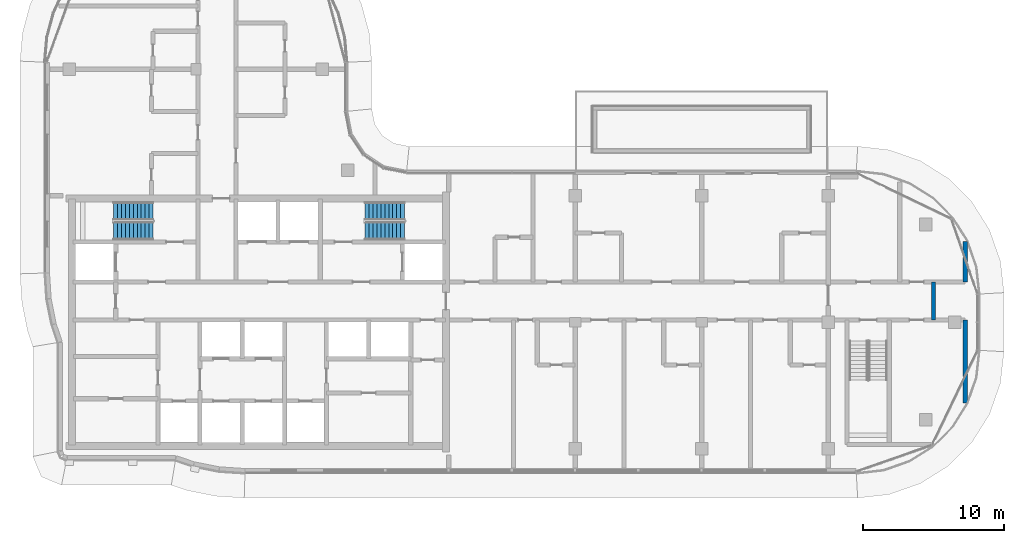
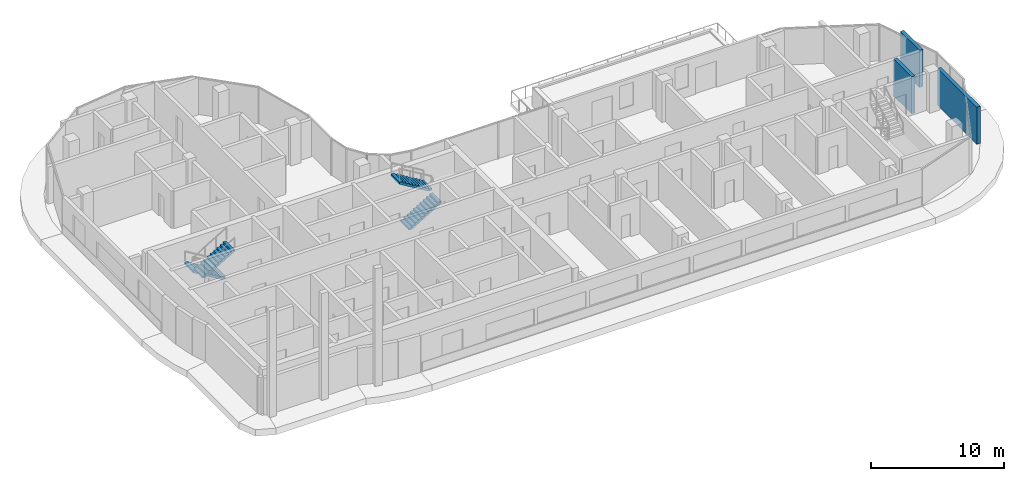
# One storey, part 13 of 20: 4 stair flights, 3 walls, 2 elements without a shape of their own.
"""IFC4 building model written with IfcOpenShell, lengths in metres."""

from ifc_helpers import new_model, si_unit, direction, frame, frame_2d, origin, place, context, subcontext, project, spatial, rectangle, extrude, triangles, source, transform, mapped, material, layer, layer_set, type_object, element, aggregate, save


model = new_model("IFC4")

# Units and contexts
model_context = context("Model", 3, precision=1e-05, world=origin(), true_north=direction((0.0, 1.0)))
body_context = subcontext(model_context, "Body", "Model", "MODEL_VIEW")
ifc_project = project(units=[si_unit("LENGTHUNIT", "METRE"), si_unit("AREAUNIT", "SQUARE_METRE"), si_unit("VOLUMEUNIT", "CUBIC_METRE"), si_unit("PLANEANGLEUNIT", "RADIAN"), si_unit("MASSUNIT", "GRAM", prefix="KILO")], contexts=[model_context])

# Site, building, storey
site_placement = place(None, origin())
site = spatial("IfcSite", under=ifc_project, at=site_placement, CompositionType="ELEMENT")
building_placement = place(site_placement, origin())
building = spatial("IfcBuilding", under=site, at=building_placement, Name="Ogive Portal Towers", CompositionType="ELEMENT")
storey_placement = place(building_placement, frame((0.0, 0.0, 195.800048828125)))
storey = spatial("IfcBuildingStorey", under=building, at=storey_placement, Name="L48", CompositionType="ELEMENT", Elevation=195.800048828125)

# Walls
ifc_material_1 = material(Name="Gypsum board partition on steel studs", Category="steel")
ifc_layer_1 = layer(ifc_material_1, 0.300048828125)
ifc_layer_set_1 = layer_set([ifc_layer_1], Name="WT-PART-300-EI 120")
wall_type_1 = type_object("IfcWallType", Name="WT-PART-300-EI 120", PredefinedType="PARTITIONING", material=ifc_layer_set_1)
wall_1_placement = place(storey_placement, frame((93.0, 30.64990234375, 0.0), z_axis=(0.0, 0.0, 1.0), x_axis=(0.0, 1.0, 0.0)))
element("IfcWall", 1, at=wall_1_placement, inside=storey, type_object=wall_type_1, Name="Wall L48:w053", PredefinedType="PARTITIONING", context=body_context, shape_type="SweptSolid", body=[
    extrude(rectangle(XDim=2.7001953125, YDim=0.300048828125, at=frame_2d((1.35009765625, 0.0))), origin(), (0.0, 0.0, 1.0), 3.39990234375),
])
ifc_layer_2 = layer(ifc_material_1, 0.300048828125)
ifc_layer_set_2 = layer_set([ifc_layer_2], Name="WT-PART-300-EI 60")
wall_type_2 = type_object("IfcWallType", Name="WT-PART-300-EI 60", PredefinedType="PARTITIONING", material=ifc_layer_set_2)
wall_2_placement = place(storey_placement, frame((95.25, 24.75390625, 0.0), z_axis=(0.0, 0.0, 1.0), x_axis=(0.0, 1.0, 0.0)))
element("IfcWall", 2, at=wall_2_placement, inside=storey, type_object=wall_type_2, Name="Wall L48:w054", PredefinedType="PARTITIONING", context=body_context, shape_type="SweptSolid", body=[
    extrude(rectangle(XDim=5.89599609375, YDim=0.300048828125, at=frame_2d((2.947998046875, 0.0))), origin(), (0.0, 0.0, 1.0), 3.39990234375),
])
wall_3_placement = place(storey_placement, frame((95.25, 33.35009765625, 0.0), z_axis=(0.0, 0.0, 1.0), x_axis=(0.0, 1.0, 0.0)))
element("IfcWall", 3, at=wall_3_placement, inside=storey, type_object=wall_type_2, Name="Wall L48:w055", PredefinedType="PARTITIONING", context=body_context, shape_type="SweptSolid", body=[
    extrude(rectangle(XDim=2.89599609375, YDim=0.300048828125, at=frame_2d((1.447998046875, 0.0))), origin(), (0.0, 0.0, 1.0), 3.39990234375),
])

# Stair, stair flights
ifc_material_2 = material(Name="Concrete C40/50", Category="concrete")
stair_type = type_object("IfcStairType", Name="INT-STAIR", PredefinedType="HALF_TURN_STAIR", material=ifc_material_2)
stair_1_placement = place(storey_placement, origin())
stair_1 = element("IfcStair", 4, at=stair_1_placement, inside=storey, type_object=stair_type, Name="L48 Exit Stair ST-A1", PredefinedType="HALF_TURN_STAIR")
stair_flight_type = type_object("IfcStairFlightType", Name="INT-FLIGHT", PredefinedType="STRAIGHT", material=ifc_material_2)
shared_shape = source(origin(), body_context, "Body", "Tessellation", [
    triangles([(0.0, -0.650146484375, 0.0), (0.0, -0.376220703125, 0.0), (0.0, -0.192626953125, 0.0), (0.0, -0.081298828125, 0.0), (0.0, -0.024169921875, 0.0), (0.0, -0.003173828125, 0.0), (0.0, 0.0, 0.0), (0.0, 0.0029296875, 0.0), (0.0, 0.02392578125, 0.0), (0.0, 0.0810546875, 0.0), (0.0, 0.1923828125, 0.0), (0.0, 0.3759765625, 0.0), (0.0, 0.64990234375, 0.0), (0.0, -0.650146484375, 0.168212890625), (0.0, -0.376220703125, 0.168212890625), (0.0, -0.192626953125, 0.168212890625), (0.0, -0.081298828125, 0.168212890625), (0.0, -0.024169921875, 0.168212890625), (0.0, -0.003173828125, 0.168212890625), (0.0, 0.0, 0.168212890625), (0.0, 0.0029296875, 0.168212890625), (0.0, 0.02392578125, 0.168212890625), (0.0, 0.0810546875, 0.168212890625), (0.0, 0.1923828125, 0.168212890625), (0.0, 0.3759765625, 0.168212890625), (0.0, 0.64990234375, 0.168212890625), (0.280029296875, -0.650146484375, 0.168212890625), (0.280029296875, -0.376220703125, 0.168212890625), (0.280029296875, -0.192626953125, 0.168212890625), (0.280029296875, -0.081298828125, 0.168212890625), (0.280029296875, -0.024169921875, 0.168212890625), (0.280029296875, -0.003173828125, 0.168212890625), (0.280029296875, 0.0, 0.168212890625), (0.280029296875, 0.0029296875, 0.168212890625), (0.280029296875, 0.02392578125, 0.168212890625), (0.280029296875, 0.0810546875, 0.168212890625), (0.280029296875, 0.1923828125, 0.168212890625), (0.280029296875, 0.3759765625, 0.168212890625), (0.280029296875, 0.64990234375, 0.168212890625), (0.280029296875, -0.650146484375, 0.33642578125), (0.280029296875, -0.376220703125, 0.33642578125), (0.280029296875, -0.192626953125, 0.33642578125), (0.280029296875, -0.081298828125, 0.33642578125), (0.280029296875, -0.024169921875, 0.33642578125), (0.280029296875, -0.003173828125, 0.33642578125), (0.280029296875, 0.0, 0.33642578125), (0.280029296875, 0.0029296875, 0.33642578125), (0.280029296875, 0.02392578125, 0.33642578125), (0.280029296875, 0.0810546875, 0.33642578125), (0.280029296875, 0.1923828125, 0.33642578125), (0.280029296875, 0.3759765625, 0.33642578125), (0.280029296875, 0.64990234375, 0.33642578125), (0.56005859375, -0.650146484375, 0.33642578125), (0.56005859375, -0.376220703125, 0.33642578125), (0.56005859375, -0.192626953125, 0.33642578125), (0.56005859375, -0.081298828125, 0.33642578125), (0.56005859375, -0.024169921875, 0.33642578125), (0.56005859375, -0.003173828125, 0.33642578125), (0.56005859375, 0.0, 0.33642578125), (0.56005859375, 0.0029296875, 0.33642578125), (0.56005859375, 0.02392578125, 0.33642578125), (0.56005859375, 0.0810546875, 0.33642578125), (0.56005859375, 0.1923828125, 0.33642578125), (0.56005859375, 0.3759765625, 0.33642578125), (0.56005859375, 0.64990234375, 0.33642578125), (0.56005859375, -0.650146484375, 0.504638671875), (0.56005859375, -0.376220703125, 0.504638671875), (0.56005859375, -0.192626953125, 0.504638671875), (0.56005859375, -0.081298828125, 0.504638671875), (0.56005859375, -0.024169921875, 0.504638671875), (0.56005859375, -0.003173828125, 0.504638671875), (0.56005859375, 0.0, 0.504638671875), (0.56005859375, 0.0029296875, 0.504638671875), (0.56005859375, 0.02392578125, 0.504638671875), (0.56005859375, 0.0810546875, 0.504638671875), (0.56005859375, 0.1923828125, 0.504638671875), (0.56005859375, 0.3759765625, 0.504638671875), (0.56005859375, 0.64990234375, 0.504638671875), (0.840087890625, -0.650146484375, 0.504638671875), (0.840087890625, -0.376220703125, 0.504638671875), (0.840087890625, -0.192626953125, 0.504638671875), (0.840087890625, -0.081298828125, 0.504638671875), (0.840087890625, -0.024169921875, 0.504638671875), (0.840087890625, -0.003173828125, 0.504638671875), (0.840087890625, 0.0, 0.504638671875), (0.840087890625, 0.0029296875, 0.504638671875), (0.840087890625, 0.02392578125, 0.504638671875), (0.840087890625, 0.0810546875, 0.504638671875), (0.840087890625, 0.1923828125, 0.504638671875), (0.840087890625, 0.3759765625, 0.504638671875), (0.840087890625, 0.64990234375, 0.504638671875), (0.840087890625, -0.650146484375, 0.672607421875), (0.840087890625, -0.376220703125, 0.672607421875), (0.840087890625, -0.192626953125, 0.672607421875), (0.840087890625, -0.081298828125, 0.672607421875), (0.840087890625, -0.024169921875, 0.672607421875), (0.840087890625, -0.003173828125, 0.672607421875), (0.840087890625, 0.0, 0.672607421875), (0.840087890625, 0.0029296875, 0.672607421875), (0.840087890625, 0.02392578125, 0.672607421875), (0.840087890625, 0.0810546875, 0.672607421875), (0.840087890625, 0.1923828125, 0.672607421875), (0.840087890625, 0.3759765625, 0.672607421875), (0.840087890625, 0.64990234375, 0.672607421875), (1.1201171875, -0.650146484375, 0.672607421875), (1.1201171875, -0.376220703125, 0.672607421875), (1.1201171875, -0.192626953125, 0.672607421875), (1.1201171875, -0.081298828125, 0.672607421875), (1.1201171875, -0.024169921875, 0.672607421875), (1.1201171875, -0.003173828125, 0.672607421875), (1.1201171875, 0.0, 0.672607421875), (1.1201171875, 0.0029296875, 0.672607421875), (1.1201171875, 0.02392578125, 0.672607421875), (1.1201171875, 0.0810546875, 0.672607421875), (1.1201171875, 0.1923828125, 0.672607421875), (1.1201171875, 0.3759765625, 0.672607421875), (1.1201171875, 0.64990234375, 0.672607421875), (1.1201171875, -0.650146484375, 0.8408203125), (1.1201171875, -0.376220703125, 0.8408203125), (1.1201171875, -0.192626953125, 0.8408203125), (1.1201171875, -0.081298828125, 0.8408203125), (1.1201171875, -0.024169921875, 0.8408203125), (1.1201171875, -0.003173828125, 0.8408203125), (1.1201171875, 0.0, 0.8408203125), (1.1201171875, 0.0029296875, 0.8408203125), (1.1201171875, 0.02392578125, 0.8408203125), (1.1201171875, 0.0810546875, 0.8408203125), (1.1201171875, 0.1923828125, 0.8408203125), (1.1201171875, 0.3759765625, 0.8408203125), (1.1201171875, 0.64990234375, 0.8408203125), (1.39990234375, -0.650146484375, 0.8408203125), (1.39990234375, -0.376220703125, 0.8408203125), (1.39990234375, -0.192626953125, 0.8408203125), (1.39990234375, -0.081298828125, 0.8408203125), (1.39990234375, -0.024169921875, 0.8408203125), (1.39990234375, -0.003173828125, 0.8408203125), (1.39990234375, 0.0, 0.8408203125), (1.39990234375, 0.0029296875, 0.8408203125), (1.39990234375, 0.02392578125, 0.8408203125), (1.39990234375, 0.0810546875, 0.8408203125), (1.39990234375, 0.1923828125, 0.8408203125), (1.39990234375, 0.3759765625, 0.8408203125), (1.39990234375, 0.64990234375, 0.8408203125), (1.39990234375, -0.650146484375, 1.009033203125), (1.39990234375, -0.376220703125, 1.009033203125), (1.39990234375, -0.192626953125, 1.009033203125), (1.39990234375, -0.081298828125, 1.009033203125), (1.39990234375, -0.024169921875, 1.009033203125), (1.39990234375, -0.003173828125, 1.009033203125), (1.39990234375, 0.0, 1.009033203125), (1.39990234375, 0.0029296875, 1.009033203125), (1.39990234375, 0.02392578125, 1.009033203125), (1.39990234375, 0.0810546875, 1.009033203125), (1.39990234375, 0.1923828125, 1.009033203125), (1.39990234375, 0.3759765625, 1.009033203125), (1.39990234375, 0.64990234375, 1.009033203125), (1.679931640625, -0.650146484375, 1.009033203125), (1.679931640625, -0.376220703125, 1.009033203125), (1.679931640625, -0.192626953125, 1.009033203125), (1.679931640625, -0.081298828125, 1.009033203125), (1.679931640625, -0.024169921875, 1.009033203125), (1.679931640625, -0.003173828125, 1.009033203125), (1.679931640625, 0.0, 1.009033203125), (1.679931640625, 0.0029296875, 1.009033203125), (1.679931640625, 0.02392578125, 1.009033203125), (1.679931640625, 0.0810546875, 1.009033203125), (1.679931640625, 0.1923828125, 1.009033203125), (1.679931640625, 0.3759765625, 1.009033203125), (1.679931640625, 0.64990234375, 1.009033203125), (1.679931640625, -0.650146484375, 1.17724609375), (1.679931640625, -0.376220703125, 1.17724609375), (1.679931640625, -0.192626953125, 1.17724609375), (1.679931640625, -0.081298828125, 1.17724609375), (1.679931640625, -0.024169921875, 1.17724609375), (1.679931640625, -0.003173828125, 1.17724609375), (1.679931640625, 0.0, 1.17724609375), (1.679931640625, 0.0029296875, 1.17724609375), (1.679931640625, 0.02392578125, 1.17724609375), (1.679931640625, 0.0810546875, 1.17724609375), (1.679931640625, 0.1923828125, 1.17724609375), (1.679931640625, 0.3759765625, 1.17724609375), (1.679931640625, 0.64990234375, 1.17724609375), (1.9599609375, -0.650146484375, 1.17724609375), (1.9599609375, -0.376220703125, 1.17724609375), (1.9599609375, -0.192626953125, 1.17724609375), (1.9599609375, -0.081298828125, 1.17724609375), (1.9599609375, -0.024169921875, 1.17724609375), (1.9599609375, -0.003173828125, 1.17724609375), (1.9599609375, 0.0, 1.17724609375), (1.9599609375, 0.0029296875, 1.17724609375), (1.9599609375, 0.02392578125, 1.17724609375), (1.9599609375, 0.0810546875, 1.17724609375), (1.9599609375, 0.1923828125, 1.17724609375), (1.9599609375, 0.3759765625, 1.17724609375), (1.9599609375, 0.64990234375, 1.17724609375), (1.9599609375, -0.650146484375, 1.345458984375), (1.9599609375, -0.376220703125, 1.345458984375), (1.9599609375, -0.192626953125, 1.345458984375), (1.9599609375, -0.081298828125, 1.345458984375), (1.9599609375, -0.024169921875, 1.345458984375), (1.9599609375, -0.003173828125, 1.345458984375), (1.9599609375, 0.0, 1.345458984375), (1.9599609375, 0.0029296875, 1.345458984375), (1.9599609375, 0.02392578125, 1.345458984375), (1.9599609375, 0.0810546875, 1.345458984375), (1.9599609375, 0.1923828125, 1.345458984375), (1.9599609375, 0.3759765625, 1.345458984375), (1.9599609375, 0.64990234375, 1.345458984375), (2.239990234375, -0.650146484375, 1.345458984375), (2.239990234375, -0.376220703125, 1.345458984375), (2.239990234375, -0.192626953125, 1.345458984375), (2.239990234375, -0.081298828125, 1.345458984375), (2.239990234375, -0.024169921875, 1.345458984375), (2.239990234375, -0.003173828125, 1.345458984375), (2.239990234375, 0.0, 1.345458984375), (2.239990234375, 0.0029296875, 1.345458984375), (2.239990234375, 0.02392578125, 1.345458984375), (2.239990234375, 0.0810546875, 1.345458984375), (2.239990234375, 0.1923828125, 1.345458984375), (2.239990234375, 0.3759765625, 1.345458984375), (2.239990234375, 0.64990234375, 1.345458984375), (2.239990234375, -0.650146484375, 1.513671875), (2.239990234375, -0.376220703125, 1.513671875), (2.239990234375, -0.192626953125, 1.513671875), (2.239990234375, -0.081298828125, 1.513671875), (2.239990234375, -0.024169921875, 1.513671875), (2.239990234375, -0.003173828125, 1.513671875), (2.239990234375, 0.0, 1.513671875), (2.239990234375, 0.0029296875, 1.513671875), (2.239990234375, 0.02392578125, 1.513671875), (2.239990234375, 0.0810546875, 1.513671875), (2.239990234375, 0.1923828125, 1.513671875), (2.239990234375, 0.3759765625, 1.513671875), (2.239990234375, 0.64990234375, 1.513671875), (2.52001953125, -0.650146484375, 1.513671875), (2.52001953125, -0.376220703125, 1.513671875), (2.52001953125, -0.192626953125, 1.513671875), (2.52001953125, -0.081298828125, 1.513671875), (2.52001953125, -0.024169921875, 1.513671875), (2.52001953125, -0.003173828125, 1.513671875), (2.52001953125, 0.0, 1.513671875), (2.52001953125, 0.0029296875, 1.513671875), (2.52001953125, 0.02392578125, 1.513671875), (2.52001953125, 0.0810546875, 1.513671875), (2.52001953125, 0.1923828125, 1.513671875), (2.52001953125, 0.3759765625, 1.513671875), (2.52001953125, 0.64990234375, 1.513671875), (2.52001953125, -0.650146484375, 1.681884765625), (2.52001953125, -0.376220703125, 1.681884765625), (2.52001953125, -0.192626953125, 1.681884765625), (2.52001953125, -0.081298828125, 1.681884765625), (2.52001953125, -0.024169921875, 1.681884765625), (2.52001953125, -0.003173828125, 1.681884765625), (2.52001953125, 0.0, 1.681884765625), (2.52001953125, 0.0029296875, 1.681884765625), (2.52001953125, 0.02392578125, 1.681884765625), (2.52001953125, 0.0810546875, 1.681884765625), (2.52001953125, 0.1923828125, 1.681884765625), (2.52001953125, 0.3759765625, 1.681884765625), (2.52001953125, 0.64990234375, 1.681884765625), (2.800048828125, -0.650146484375, 1.681884765625), (2.800048828125, -0.376220703125, 1.681884765625), (2.800048828125, -0.192626953125, 1.681884765625), (2.800048828125, -0.081298828125, 1.681884765625), (2.800048828125, -0.024169921875, 1.681884765625), (2.800048828125, -0.003173828125, 1.681884765625), (2.800048828125, 0.0, 1.681884765625), (2.800048828125, 0.0029296875, 1.681884765625), (2.800048828125, 0.02392578125, 1.681884765625), (2.800048828125, 0.0810546875, 1.681884765625), (2.800048828125, 0.1923828125, 1.681884765625), (2.800048828125, 0.3759765625, 1.681884765625), (2.800048828125, 0.64990234375, 1.681884765625), (2.800048828125, -0.650146484375, 1.5068359375), (2.800048828125, -0.376220703125, 1.5068359375), (2.800048828125, -0.192626953125, 1.5068359375), (2.800048828125, -0.081298828125, 1.5068359375), (2.800048828125, -0.024169921875, 1.5068359375), (2.800048828125, -0.003173828125, 1.5068359375), (2.800048828125, 0.0, 1.5068359375), (2.800048828125, 0.0029296875, 1.5068359375), (2.800048828125, 0.02392578125, 1.5068359375), (2.800048828125, 0.0810546875, 1.5068359375), (2.800048828125, 0.1923828125, 1.5068359375), (2.800048828125, 0.3759765625, 1.5068359375), (2.800048828125, 0.64990234375, 1.5068359375), (0.291015625, -0.650146484375, 0.0), (0.291015625, -0.376220703125, 0.0), (0.291015625, -0.192626953125, 0.0), (0.291015625, -0.081298828125, 0.0), (0.291015625, -0.024169921875, 0.0), (0.291015625, -0.003173828125, 0.0), (0.291015625, 0.0, 0.0), (0.291015625, 0.0029296875, 0.0), (0.291015625, 0.02392578125, 0.0), (0.291015625, 0.0810546875, 0.0), (0.291015625, 0.1923828125, 0.0), (0.291015625, 0.3759765625, 0.0), (0.291015625, 0.64990234375, 0.0)], [[1, 14, 15], [1, 15, 2], [2, 15, 16], [2, 16, 3], [3, 16, 17], [3, 17, 4], [4, 17, 18], [4, 18, 5], [5, 18, 19], [5, 19, 6], [6, 19, 20], [6, 20, 7], [7, 20, 21], [7, 21, 8], [8, 21, 22], [8, 22, 9], [9, 22, 23], [9, 23, 10], [10, 23, 24], [10, 24, 11], [11, 24, 25], [11, 25, 12], [12, 25, 26], [12, 26, 13], [14, 27, 28], [14, 28, 15], [15, 28, 29], [15, 29, 16], [16, 29, 30], [16, 30, 17], [17, 30, 31], [17, 31, 18], [18, 31, 32], [18, 32, 19], [19, 32, 33], [19, 33, 20], [20, 33, 34], [20, 34, 21], [21, 34, 35], [21, 35, 22], [22, 35, 36], [22, 36, 23], [23, 36, 37], [23, 37, 24], [24, 37, 38], [24, 38, 25], [25, 38, 39], [25, 39, 26], [27, 40, 41], [27, 41, 28], [28, 41, 42], [28, 42, 29], [29, 42, 43], [29, 43, 30], [30, 43, 44], [30, 44, 31], [31, 44, 45], [31, 45, 32], [32, 45, 46], [32, 46, 33], [33, 46, 47], [33, 47, 34], [34, 47, 48], [34, 48, 35], [35, 48, 49], [35, 49, 36], [36, 49, 50], [36, 50, 37], [37, 50, 51], [37, 51, 38], [38, 51, 52], [38, 52, 39], [40, 53, 54], [40, 54, 41], [41, 54, 55], [41, 55, 42], [42, 55, 56], [42, 56, 43], [43, 56, 57], [43, 57, 44], [44, 57, 58], [44, 58, 45], [45, 58, 59], [45, 59, 46], [46, 59, 60], [46, 60, 47], [47, 60, 61], [47, 61, 48], [48, 61, 62], [48, 62, 49], [49, 62, 63], [49, 63, 50], [50, 63, 64], [50, 64, 51], [51, 64, 65], [51, 65, 52], [53, 66, 67], [53, 67, 54], [54, 67, 68], [54, 68, 55], [55, 68, 69], [55, 69, 56], [56, 69, 70], [56, 70, 57], [57, 70, 71], [57, 71, 58], [58, 71, 72], [58, 72, 59], [59, 72, 73], [59, 73, 60], [60, 73, 74], [60, 74, 61], [61, 74, 75], [61, 75, 62], [62, 75, 76], [62, 76, 63], [63, 76, 77], [63, 77, 64], [64, 77, 78], [64, 78, 65], [66, 79, 80], [66, 80, 67], [67, 80, 81], [67, 81, 68], [68, 81, 82], [68, 82, 69], [69, 82, 83], [69, 83, 70], [70, 83, 84], [70, 84, 71], [71, 84, 85], [71, 85, 72], [72, 85, 86], [72, 86, 73], [73, 86, 87], [73, 87, 74], [74, 87, 88], [74, 88, 75], [75, 88, 89], [75, 89, 76], [76, 89, 90], [76, 90, 77], [77, 90, 91], [77, 91, 78], [79, 92, 93], [79, 93, 80], [80, 93, 94], [80, 94, 81], [81, 94, 95], [81, 95, 82], [82, 95, 96], [82, 96, 83], [83, 96, 97], [83, 97, 84], [84, 97, 98], [84, 98, 85], [85, 98, 99], [85, 99, 86], [86, 99, 100], [86, 100, 87], [87, 100, 101], [87, 101, 88], [88, 101, 102], [88, 102, 89], [89, 102, 103], [89, 103, 90], [90, 103, 104], [90, 104, 91], [92, 105, 106], [92, 106, 93], [93, 106, 107], [93, 107, 94], [94, 107, 108], [94, 108, 95], [95, 108, 109], [95, 109, 96], [96, 109, 110], [96, 110, 97], [97, 110, 111], [97, 111, 98], [98, 111, 112], [98, 112, 99], [99, 112, 113], [99, 113, 100], [100, 113, 114], [100, 114, 101], [101, 114, 115], [101, 115, 102], [102, 115, 116], [102, 116, 103], [103, 116, 117], [103, 117, 104], [105, 118, 119], [105, 119, 106], [106, 119, 120], [106, 120, 107], [107, 120, 121], [107, 121, 108], [108, 121, 122], [108, 122, 109], [109, 122, 123], [109, 123, 110], [110, 123, 124], [110, 124, 111], [111, 124, 125], [111, 125, 112], [112, 125, 126], [112, 126, 113], [113, 126, 127], [113, 127, 114], [114, 127, 128], [114, 128, 115], [115, 128, 129], [115, 129, 116], [116, 129, 130], [116, 130, 117], [118, 131, 132], [118, 132, 119], [119, 132, 133], [119, 133, 120], [120, 133, 134], [120, 134, 121], [121, 134, 135], [121, 135, 122], [122, 135, 136], [122, 136, 123], [123, 136, 137], [123, 137, 124], [124, 137, 138], [124, 138, 125], [125, 138, 139], [125, 139, 126], [126, 139, 140], [126, 140, 127], [127, 140, 141], [127, 141, 128], [128, 141, 142], [128, 142, 129], [129, 142, 143], [129, 143, 130], [131, 144, 145], [131, 145, 132], [132, 145, 146], [132, 146, 133], [133, 146, 147], [133, 147, 134], [134, 147, 148], [134, 148, 135], [135, 148, 149], [135, 149, 136], [136, 149, 150], [136, 150, 137], [137, 150, 151], [137, 151, 138], [138, 151, 152], [138, 152, 139], [139, 152, 153], [139, 153, 140], [140, 153, 154], [140, 154, 141], [141, 154, 155], [141, 155, 142], [142, 155, 156], [142, 156, 143], [144, 157, 158], [144, 158, 145], [145, 158, 159], [145, 159, 146], [146, 159, 160], [146, 160, 147], [147, 160, 161], [147, 161, 148], [148, 161, 162], [148, 162, 149], [149, 162, 163], [149, 163, 150], [150, 163, 164], [150, 164, 151], [151, 164, 165], [151, 165, 152], [152, 165, 166], [152, 166, 153], [153, 166, 167], [153, 167, 154], [154, 167, 168], [154, 168, 155], [155, 168, 169], [155, 169, 156], [157, 170, 171], [157, 171, 158], [158, 171, 172], [158, 172, 159], [159, 172, 173], [159, 173, 160], [160, 173, 174], [160, 174, 161], [161, 174, 175], [161, 175, 162], [162, 175, 176], [162, 176, 163], [163, 176, 177], [163, 177, 164], [164, 177, 178], [164, 178, 165], [165, 178, 179], [165, 179, 166], [166, 179, 180], [166, 180, 167], [167, 180, 181], [167, 181, 168], [168, 181, 182], [168, 182, 169], [170, 183, 184], [170, 184, 171], [171, 184, 185], [171, 185, 172], [172, 185, 186], [172, 186, 173], [173, 186, 187], [173, 187, 174], [174, 187, 188], [174, 188, 175], [175, 188, 189], [175, 189, 176], [176, 189, 190], [176, 190, 177], [177, 190, 191], [177, 191, 178], [178, 191, 192], [178, 192, 179], [179, 192, 193], [179, 193, 180], [180, 193, 194], [180, 194, 181], [181, 194, 195], [181, 195, 182], [183, 196, 197], [183, 197, 184], [184, 197, 198], [184, 198, 185], [185, 198, 199], [185, 199, 186], [186, 199, 200], [186, 200, 187], [187, 200, 201], [187, 201, 188], [188, 201, 202], [188, 202, 189], [189, 202, 203], [189, 203, 190], [190, 203, 204], [190, 204, 191], [191, 204, 205], [191, 205, 192], [192, 205, 206], [192, 206, 193], [193, 206, 207], [193, 207, 194], [194, 207, 208], [194, 208, 195], [196, 209, 210], [196, 210, 197], [197, 210, 211], [197, 211, 198], [198, 211, 212], [198, 212, 199], [199, 212, 213], [199, 213, 200], [200, 213, 214], [200, 214, 201], [201, 214, 215], [201, 215, 202], [202, 215, 216], [202, 216, 203], [203, 216, 217], [203, 217, 204], [204, 217, 218], [204, 218, 205], [205, 218, 219], [205, 219, 206], [206, 219, 220], [206, 220, 207], [207, 220, 221], [207, 221, 208], [209, 222, 223], [209, 223, 210], [210, 223, 224], [210, 224, 211], [211, 224, 225], [211, 225, 212], [212, 225, 226], [212, 226, 213], [213, 226, 227], [213, 227, 214], [214, 227, 228], [214, 228, 215], [215, 228, 229], [215, 229, 216], [216, 229, 230], [216, 230, 217], [217, 230, 231], [217, 231, 218], [218, 231, 232], [218, 232, 219], [219, 232, 233], [219, 233, 220], [220, 233, 234], [220, 234, 221], [222, 235, 236], [222, 236, 223], [223, 236, 237], [223, 237, 224], [224, 237, 238], [224, 238, 225], [225, 238, 239], [225, 239, 226], [226, 239, 240], [226, 240, 227], [227, 240, 241], [227, 241, 228], [228, 241, 242], [228, 242, 229], [229, 242, 243], [229, 243, 230], [230, 243, 244], [230, 244, 231], [231, 244, 245], [231, 245, 232], [232, 245, 246], [232, 246, 233], [233, 246, 247], [233, 247, 234], [235, 248, 249], [235, 249, 236], [236, 249, 250], [236, 250, 237], [237, 250, 251], [237, 251, 238], [238, 251, 252], [238, 252, 239], [239, 252, 253], [239, 253, 240], [240, 253, 254], [240, 254, 241], [241, 254, 255], [241, 255, 242], [242, 255, 256], [242, 256, 243], [243, 256, 257], [243, 257, 244], [244, 257, 258], [244, 258, 245], [245, 258, 259], [245, 259, 246], [246, 259, 260], [246, 260, 247], [248, 261, 262], [248, 262, 249], [249, 262, 263], [249, 263, 250], [250, 263, 264], [250, 264, 251], [251, 264, 265], [251, 265, 252], [252, 265, 266], [252, 266, 253], [253, 266, 267], [253, 267, 254], [254, 267, 268], [254, 268, 255], [255, 268, 269], [255, 269, 256], [256, 269, 270], [256, 270, 257], [257, 270, 271], [257, 271, 258], [258, 271, 272], [258, 272, 259], [259, 272, 273], [259, 273, 260], [261, 274, 275], [261, 275, 262], [262, 275, 276], [262, 276, 263], [263, 276, 277], [263, 277, 264], [264, 277, 278], [264, 278, 265], [265, 278, 279], [265, 279, 266], [266, 279, 280], [266, 280, 267], [267, 280, 281], [267, 281, 268], [268, 281, 282], [268, 282, 269], [269, 282, 283], [269, 283, 270], [270, 283, 284], [270, 284, 271], [271, 284, 285], [271, 285, 272], [272, 285, 286], [272, 286, 273], [274, 287, 288], [274, 288, 275], [275, 288, 289], [275, 289, 276], [276, 289, 290], [276, 290, 277], [277, 290, 291], [277, 291, 278], [278, 291, 292], [278, 292, 279], [279, 292, 293], [279, 293, 280], [280, 293, 294], [280, 294, 281], [281, 294, 295], [281, 295, 282], [282, 295, 296], [282, 296, 283], [283, 296, 297], [283, 297, 284], [284, 297, 298], [284, 298, 285], [285, 298, 299], [285, 299, 286], [287, 1, 2], [287, 2, 288], [288, 2, 3], [288, 3, 289], [289, 3, 4], [289, 4, 290], [290, 4, 5], [290, 5, 291], [291, 5, 6], [291, 6, 292], [292, 6, 7], [292, 7, 293], [293, 7, 8], [293, 8, 294], [294, 8, 9], [294, 9, 295], [295, 9, 10], [295, 10, 296], [296, 10, 11], [296, 11, 297], [297, 11, 12], [297, 12, 298], [298, 12, 13], [298, 13, 299], [1, 287, 274], [13, 286, 299], [274, 261, 248], [286, 260, 273], [274, 248, 235], [286, 247, 260], [274, 235, 222], [286, 234, 247], [274, 222, 209], [286, 221, 234], [209, 196, 183], [221, 195, 208], [274, 209, 183], [286, 195, 221], [183, 170, 157], [195, 169, 182], [274, 183, 157], [286, 169, 195], [157, 144, 131], [169, 143, 156], [274, 157, 131], [286, 143, 169], [131, 118, 105], [143, 117, 130], [274, 131, 105], [286, 117, 143], [1, 274, 105], [13, 117, 286], [105, 92, 79], [117, 91, 104], [79, 66, 53], [91, 65, 78], [105, 79, 53], [117, 65, 91], [53, 40, 27], [65, 39, 52], [105, 53, 27], [117, 39, 65], [1, 105, 27], [13, 39, 117], [27, 14, 1], [39, 13, 26]], closed=True),
])
stair_flight_1_placement = place(storey_placement, frame((37.449951171875, 38.39990234375, 0.0), z_axis=(0.0, 0.0, 1.0), x_axis=(-1.0, 0.0, 0.0)))
stair_flight_1 = element("IfcStairFlight", 5, at=stair_flight_1_placement, type_object=stair_flight_type, Name="ST-A1 flight 1", NumberOfRisers=11, NumberOfTreads=10, PredefinedType="STRAIGHT", RiserHeight=0.168181818, TreadLength=0.28, context=body_context, shape_type="MappedRepresentation", body=[
    mapped(shared_shape, transform((0.0, 0.0, 0.0), scale=1.0)),
])
stair_flight_2_placement = place(storey_placement, frame((34.64990234375, 37.0, 1.849853515625), z_axis=(0.0, 0.0, 1.0), x_axis=(1.0, 0.0, 0.0)))
stair_flight_2 = element("IfcStairFlight", 6, at=stair_flight_2_placement, type_object=stair_flight_type, Name="ST-A1 flight 2", NumberOfRisers=11, NumberOfTreads=10, PredefinedType="STRAIGHT", RiserHeight=0.168181818, TreadLength=0.28, context=body_context, shape_type="MappedRepresentation", body=[
    mapped(shared_shape, transform((0.0, 0.0, 0.0), scale=1.0)),
])
aggregate(stair_1, [stair_flight_1, stair_flight_2])

stair_2_placement = place(storey_placement, origin())
stair_2 = element("IfcStair", 7, at=stair_2_placement, inside=storey, type_object=stair_type, Name="L48 Exit Stair ST-A2", PredefinedType="HALF_TURN_STAIR")
stair_flight_3_placement = place(storey_placement, frame((52.550048828125, 37.0, 0.0), z_axis=(0.0, 0.0, 1.0), x_axis=(1.0, 0.0, 0.0)))
stair_flight_3 = element("IfcStairFlight", 8, at=stair_flight_3_placement, type_object=stair_flight_type, Name="ST-A2 flight 1", NumberOfRisers=11, NumberOfTreads=10, PredefinedType="STRAIGHT", RiserHeight=0.168181818, TreadLength=0.28, context=body_context, shape_type="MappedRepresentation", body=[
    mapped(shared_shape, transform((0.0, 0.0, 0.0), scale=1.0)),
])
stair_flight_4_placement = place(storey_placement, frame((55.35009765625, 38.39990234375, 1.849853515625), z_axis=(0.0, 0.0, 1.0), x_axis=(-1.0, 0.0, 0.0)))
stair_flight_4 = element("IfcStairFlight", 9, at=stair_flight_4_placement, type_object=stair_flight_type, Name="ST-A2 flight 2", NumberOfRisers=11, NumberOfTreads=10, PredefinedType="STRAIGHT", RiserHeight=0.168181818, TreadLength=0.28, context=body_context, shape_type="MappedRepresentation", body=[
    mapped(shared_shape, transform((0.0, 0.0, 0.0), scale=1.0)),
])
aggregate(stair_2, [stair_flight_3, stair_flight_4])

save(model, "model.ifc")
